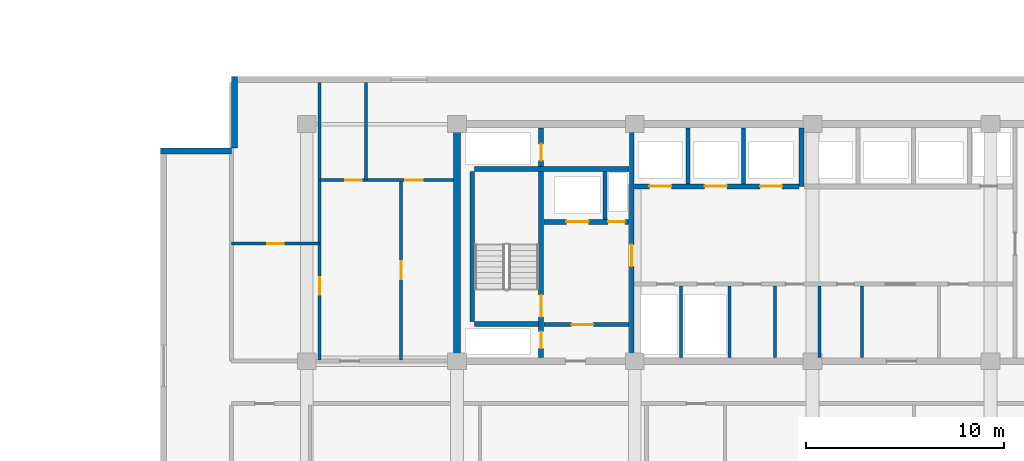
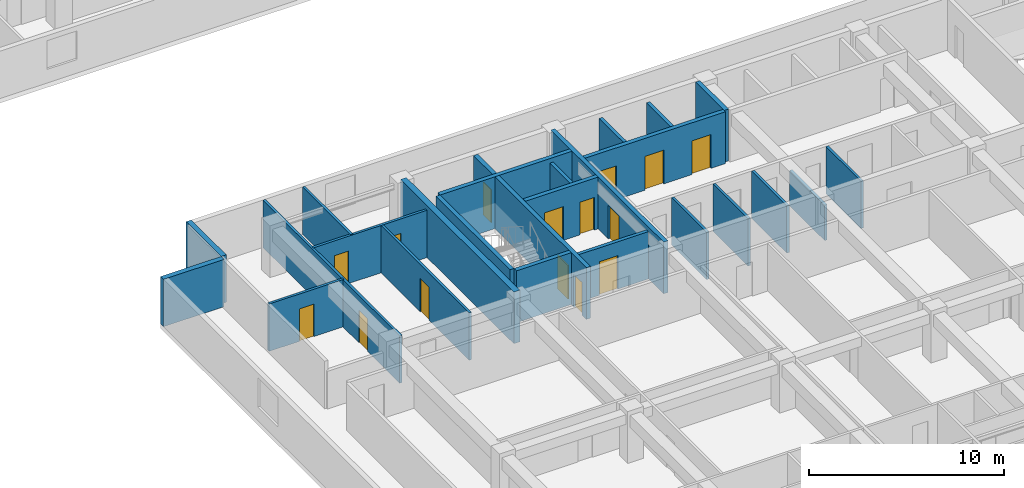
# One storey, part 6 of 23: 25 walls, 15 doors, 15 openings.
"""IFC4 building model written with IfcOpenShell, lengths in metres."""

from ifc_helpers import new_model, si_unit, direction, frame, frame_2d, origin, place, context, subcontext, project, spatial, rectangle, extrude, material, layer, layer_set, type_object, element, fill, save


model = new_model("IFC4")

# Units and contexts
model_context = context("Model", 3, precision=1e-05, world=origin(), true_north=direction((0.0, 1.0)))
body_context = subcontext(model_context, "Body", "Model", "MODEL_VIEW")
ifc_project = project(units=[si_unit("LENGTHUNIT", "METRE"), si_unit("AREAUNIT", "SQUARE_METRE"), si_unit("VOLUMEUNIT", "CUBIC_METRE"), si_unit("PLANEANGLEUNIT", "RADIAN"), si_unit("MASSUNIT", "GRAM", prefix="KILO")], contexts=[model_context])

# Site, building, storey
site_placement = place(None, origin())
site = spatial("IfcSite", under=ifc_project, at=site_placement, CompositionType="ELEMENT")
building_placement = place(site_placement, origin())
building = spatial("IfcBuilding", under=site, at=building_placement, Name="Korimba Cascade Residences", CompositionType="ELEMENT")
storey_placement = place(building_placement, frame((0.0, 0.0, 56.5)))
storey = spatial("IfcBuildingStorey", under=building, at=storey_placement, Name="L15", CompositionType="ELEMENT", Elevation=56.5)

# Walls
ifc_material_1 = material(Name="Precast concrete C40/50", Category="concrete")
ifc_layer_1 = layer(ifc_material_1, 0.300048828125)
ifc_layer_set_1 = layer_set([ifc_layer_1], Name="Precast concrete C40/50")
wall_type_1 = type_object("IfcWallType", Name="EW-STONE-300", PredefinedType="STANDARD", material=ifc_layer_set_1)
wall_1_placement = place(storey_placement, frame((70.85009765625, 32.800048828125, 0.0), z_axis=(0.0, 0.0, 1.0), x_axis=(0.0, -1.0, 0.0)))
element("IfcWall", 1, at=wall_1_placement, inside=storey, type_object=wall_type_1, Name="L15 T2 Perimeter Stone Wall E07", PredefinedType="STANDARD", context=body_context, shape_type="SweptSolid", body=[
    extrude(rectangle(XDim=3.60009765625, YDim=0.300048828125, at=frame_2d((1.800048828125, 0.0))), origin(), (0.0, 0.0, 1.0), 2.969970703125),
])
wall_2_placement = place(storey_placement, frame((70.699951171875, 29.050048828125, 0.0), z_axis=(0.0, 0.0, 1.0), x_axis=(-1.0, 0.0, 0.0)))
element("IfcWall", 2, at=wall_2_placement, inside=storey, type_object=wall_type_1, Name="L15 T2 Perimeter Stone Wall E08", PredefinedType="STANDARD", context=body_context, shape_type="SweptSolid", body=[
    extrude(rectangle(XDim=3.599853515625, YDim=0.300048828125, at=frame_2d((1.7998046875, 0.0))), origin(), (0.0, 0.0, 1.0), 2.969970703125),
])
ifc_material_2 = material(Name="Concrete C65/80", Category="concrete")
ifc_layer_2 = layer(ifc_material_2, 0.35009765625)
ifc_layer_set_2 = layer_set([ifc_layer_2], Name="Concrete C65/80")
wall_type_2 = type_object("IfcWallType", Name="WAL-CORE-350", PredefinedType="SHEAR", material=ifc_layer_set_2)
wall_3_placement = place(storey_placement, frame((82.10009765625, 18.574951171875, 0.0), z_axis=(0.0, 0.0, 1.0), x_axis=(0.0, 1.0, 0.0)))
element("IfcWall", 3, at=wall_3_placement, inside=storey, type_object=wall_type_2, Name="L15 Core Shear Wall CW-L15-T2-W", PredefinedType="SHEAR", context=body_context, shape_type="SweptSolid", body=[
    extrude(rectangle(XDim=11.650146484375, YDim=0.35009765625, at=frame_2d((5.8251953125, 0.0))), origin(), (0.0, 0.0, 1.0), 3.25),
])
ifc_material_3 = material(Name="Insulated Acoustic Stud Partition", Category="gypsum")
ifc_layer_3 = layer(ifc_material_3, 0.14990234375)
ifc_layer_set_3 = layer_set([ifc_layer_3], Name="Insulated Acoustic Stud Partition")
wall_type_3 = type_object("IfcWallType", Name="WAL-PART-150", PredefinedType="PARTITIONING", material=ifc_layer_set_3)
for number, where, z_axis, x_axis, name in (
    (4, (93.449951171875, 18.60009765625, 0.0), (0.0, 0.0, 1.0), (0.0, 1.0, 0.0), "L15 Partition Wall CW-L15-T2-ERDIV"),
    (5, (95.89990234375, 18.60009765625, 0.0), (0.0, 0.0, 1.0), (0.0, 1.0, 0.0), "L15 Partition Wall CW-L15-T2-PRDIV"),
    (6, (98.199951171875, 18.60009765625, 0.0), (0.0, 0.0, 1.0), (0.0, 1.0, 0.0), "L15 Partition Wall CW-L15-T2-CA1W1"),
):
    element("IfcWall", number, at=place(storey_placement, frame(where, z_axis=z_axis, x_axis=x_axis)), inside=storey, type_object=wall_type_3, Name=name, PredefinedType="PARTITIONING", context=body_context, shape_type="SweptSolid", body=[
        extrude(rectangle(XDim=3.599853515625, YDim=0.14990234375, at=frame_2d((1.7998046875, 0.0))), origin(), (0.0, 0.0, 1.0), 2.969970703125),
    ])
wall_4_placement = place(storey_placement, frame((100.449951171875, 18.60009765625, 0.0), z_axis=(0.0, 0.0, 1.0), x_axis=(0.0, 1.0, 0.0)))
element("IfcWall", 7, at=wall_4_placement, inside=storey, type_object=wall_type_3, Name="L15 Partition Wall CW-L15-T2-CA1W2", PredefinedType="PARTITIONING", context=body_context, shape_type="SweptSolid", body=[
    extrude(rectangle(XDim=3.599853515625, YDim=0.14990234375, at=frame_2d((1.7998046875, 0.0))), origin(), (0.0, 0.0, 1.0), 2.219970703125),
])
wall_5_placement = place(storey_placement, frame((102.60009765625, 18.60009765625, 0.0), z_axis=(0.0, 0.0, 1.0), x_axis=(0.0, 1.0, 0.0)))
element("IfcWall", 8, at=wall_5_placement, inside=storey, type_object=wall_type_3, Name="L15 Partition Wall CW-L15-T2-THW", PredefinedType="PARTITIONING", context=body_context, shape_type="SweptSolid", body=[
    extrude(rectangle(XDim=3.599853515625, YDim=0.14990234375, at=frame_2d((1.7998046875, 0.0))), origin(), (0.0, 0.0, 1.0), 2.969970703125),
])

# Wall, opening, door
wall_6_placement = place(storey_placement, frame((70.699951171875, 24.35009765625, 0.0), z_axis=(0.0, 0.0, 1.0), x_axis=(1.0, 0.0, 0.0)))
wall_6 = element("IfcWall", 9, at=wall_6_placement, inside=storey, type_object=wall_type_3, Name="L15 Partition Wall WAL-L15-T2-FW-STH", PredefinedType="PARTITIONING", context=body_context, shape_type="SweptSolid", body=[
    extrude(rectangle(XDim=4.449951171875, YDim=0.14990234375, at=frame_2d((2.22509765625, 0.0))), origin(), (0.0, 0.0, 1.0), 2.969970703125),
])
opening_1_placement = place(wall_6_placement, frame((1.804931640625, 0.0, 0.0)))
opening_1 = element("IfcOpeningElement", 10, at=opening_1_placement, cuts=wall_6, Name="Opening D-BT1", PredefinedType="OPENING", context=body_context, shape_type="SweptSolid", body=[
    extrude(rectangle(XDim=0.840087890625, YDim=2.0400390625, at=frame_2d((0.419921875, 1.02001953125))), frame((0.0, 0.0849609375, 0.0), z_axis=(0.0, -1.0, 0.0), x_axis=(1.0, 0.0, 0.0)), (0.0, 0.0, 1.0), 0.169921875),
])
ifc_material_4 = material(Name="Moisture-Resistant Bathroom Timber Door", Category="wood")
door_type_1 = type_object("IfcDoorType", Name="DR-INT-850", OperationType="NOTDEFINED", PredefinedType="DOOR", material=ifc_material_4)
door_1_placement = place(opening_1_placement, origin())
door_1 = element("IfcDoor", 11, at=door_1_placement, inside=storey, type_object=door_type_1, Name="L15-T2-FW Dressing Store Door", OperationType="SINGLE_SWING_RIGHT", OverallHeight=2.0400390625, OverallWidth=0.840087890625, PredefinedType="DOOR", context=body_context, shape_type="SweptSolid", body=[
    extrude(rectangle(XDim=0.840087890625, YDim=2.0400390625, at=frame_2d((0.419921875, 1.02001953125))), frame((0.0, 0.02490234375, 0.0), z_axis=(0.0, -1.0, 0.0), x_axis=(1.0, 0.0, 0.0)), (0.0, 0.0, 1.0), 0.050048828125),
])
fill(opening_1, door_1)

wall_7_placement = place(storey_placement, frame((75.14990234375, 18.449951171875, 0.0), z_axis=(0.0, 0.0, 1.0), x_axis=(0.0, 1.0, 0.0)))
wall_7 = element("IfcWall", 12, at=wall_7_placement, inside=storey, type_object=wall_type_3, Name="L15 Partition Wall WAL-L15-T2-FW-STV", PredefinedType="PARTITIONING", context=body_context, shape_type="SweptSolid", body=[
    extrude(rectangle(XDim=14.050048828125, YDim=0.14990234375, at=frame_2d((7.02490234375, 0.0))), origin(), (0.0, 0.0, 1.0), 2.969970703125),
])
opening_2_placement = place(wall_7_placement, frame((3.320068359375, 0.0, 0.0)))
opening_2 = element("IfcOpeningElement", 13, at=opening_2_placement, cuts=wall_7, Name="Opening D-IN2", PredefinedType="OPENING", context=body_context, shape_type="SweptSolid", body=[
    extrude(rectangle(XDim=0.8798828125, YDim=2.06005859375, at=frame_2d((0.43994140625, 1.030029296875))), frame((0.0, 0.0849609375, 0.0), z_axis=(0.0, -1.0, 0.0), x_axis=(1.0, 0.0, 0.0)), (0.0, 0.0, 1.0), 0.169921875),
])
ifc_material_5 = material(Name="Acoustic Timber Bedroom Door", Category="wood")
door_type_2 = type_object("IfcDoorType", Name="DR-INT-880", OperationType="NOTDEFINED", PredefinedType="DOOR", material=ifc_material_5)
door_2_placement = place(opening_2_placement, origin())
door_2 = element("IfcDoor", 14, at=door_2_placement, inside=storey, type_object=door_type_2, Name="L15-T2-FW Study Door", OperationType="SINGLE_SWING_LEFT", OverallHeight=2.06005859375, OverallWidth=0.8798828125, PredefinedType="DOOR", context=body_context, shape_type="SweptSolid", body=[
    extrude(rectangle(XDim=0.8798828125, YDim=2.06005859375, at=frame_2d((0.43994140625, 1.030029296875))), frame((0.0, 0.02490234375, 0.0), z_axis=(0.0, -1.0, 0.0), x_axis=(1.0, 0.0, 0.0)), (0.0, 0.0, 1.0), 0.050048828125),
])
fill(opening_2, door_2)

wall_8_placement = place(storey_placement, frame((79.27001953125, 18.449951171875, 0.0), z_axis=(0.0, 0.0, 1.0), x_axis=(0.0, 1.0, 0.0)))
wall_8 = element("IfcWall", 15, at=wall_8_placement, inside=storey, type_object=wall_type_3, Name="L15 Partition Wall WAL-L15-T2-FW-VS", PredefinedType="PARTITIONING", context=body_context, shape_type="SweptSolid", body=[
    extrude(rectangle(XDim=9.1201171875, YDim=0.14990234375, at=frame_2d((4.56005859375, 0.0))), origin(), (0.0, 0.0, 1.0), 2.969970703125),
])
opening_3_placement = place(wall_8_placement, frame((4.10009765625, 0.0, 0.0)))
opening_3 = element("IfcOpeningElement", 16, at=opening_3_placement, cuts=wall_8, Name="Opening D-IN1", PredefinedType="OPENING", context=body_context, shape_type="SweptSolid", body=[
    extrude(rectangle(XDim=0.919921875, YDim=2.080078125, at=frame_2d((0.4599609375, 1.0400390625))), frame((0.0, 0.0849609375, 0.0), z_axis=(0.0, -1.0, 0.0), x_axis=(1.0, 0.0, 0.0)), (0.0, 0.0, 1.0), 0.169921875),
])
ifc_material_6 = material(Name="Acoustic Timber Living Door", Category="wood")
door_type_3 = type_object("IfcDoorType", Name="DR-INT-920", OperationType="NOTDEFINED", PredefinedType="DOOR", material=ifc_material_6)
door_3_placement = place(opening_3_placement, origin())
door_3 = element("IfcDoor", 17, at=door_3_placement, inside=storey, type_object=door_type_3, Name="L15-T2-FW Living Door", OperationType="SINGLE_SWING_RIGHT", OverallHeight=2.080078125, OverallWidth=0.919921875, PredefinedType="DOOR", context=body_context, shape_type="SweptSolid", body=[
    extrude(rectangle(XDim=0.919921875, YDim=2.080078125, at=frame_2d((0.4599609375, 1.0400390625))), frame((0.0, 0.02490234375, 0.0), z_axis=(0.0, -1.0, 0.0), x_axis=(1.0, 0.0, 0.0)), (0.0, 0.0, 1.0), 0.050048828125),
])
fill(opening_3, door_3)

# Wall
wall_9_placement = place(storey_placement, frame((77.5, 27.570068359375, 0.0), z_axis=(0.0, 0.0, 1.0), x_axis=(0.0, 1.0, 0.0)))
element("IfcWall", 18, at=wall_9_placement, inside=storey, type_object=wall_type_3, Name="L15 Partition Wall WAL-L15-T2-FW-VN", PredefinedType="PARTITIONING", context=body_context, shape_type="SweptSolid", body=[
    extrude(rectangle(XDim=4.929931640625, YDim=0.14990234375, at=frame_2d((2.46484375, 0.0))), origin(), (0.0, 0.0, 1.0), 2.969970703125),
])

# Wall, openings, doors
wall_10_placement = place(storey_placement, frame((75.169921875, 27.570068359375, 0.0), z_axis=(0.0, 0.0, 1.0), x_axis=(1.0, 0.0, 0.0)))
wall_10 = element("IfcWall", 19, at=wall_10_placement, inside=storey, type_object=wall_type_3, Name="L15 Partition Wall WAL-L15-T2-FW-H", PredefinedType="PARTITIONING", context=body_context, shape_type="SweptSolid", body=[
    extrude(rectangle(XDim=6.760009765625, YDim=0.14990234375, at=frame_2d((3.3798828125, 0.0))), origin(), (0.0, 0.0, 1.0), 2.969970703125),
])
opening_4_placement = place(wall_10_placement, frame((1.266357421875, 0.0, 0.0)))
opening_4 = element("IfcOpeningElement", 20, at=opening_4_placement, cuts=wall_10, Name="Opening D-BT1", PredefinedType="OPENING", context=body_context, shape_type="SweptSolid", body=[
    extrude(rectangle(XDim=0.840087890625, YDim=2.0400390625, at=frame_2d((0.419921875, 1.02001953125))), frame((0.0, 0.0849609375, 0.0), z_axis=(0.0, -1.0, 0.0), x_axis=(1.0, 0.0, 0.0)), (0.0, 0.0, 1.0), 0.169921875),
])
opening_5_placement = place(wall_10_placement, frame((4.320068359375, 0.0, 0.0)))
opening_5 = element("IfcOpeningElement", 21, at=opening_5_placement, cuts=wall_10, Name="Opening D-IN2", PredefinedType="OPENING", context=body_context, shape_type="SweptSolid", body=[
    extrude(rectangle(XDim=0.8798828125, YDim=2.06005859375, at=frame_2d((0.43994140625, 1.030029296875))), frame((0.0, 0.0849609375, 0.0), z_axis=(0.0, -1.0, 0.0), x_axis=(1.0, 0.0, 0.0)), (0.0, 0.0, 1.0), 0.169921875),
])
door_4_placement = place(opening_4_placement, origin())
door_4 = element("IfcDoor", 22, at=door_4_placement, inside=storey, type_object=door_type_1, Name="L15-T2-FW Bathroom Door", OperationType="SINGLE_SWING_LEFT", OverallHeight=2.0400390625, OverallWidth=0.840087890625, PredefinedType="DOOR", context=body_context, shape_type="SweptSolid", body=[
    extrude(rectangle(XDim=0.840087890625, YDim=2.0400390625, at=frame_2d((0.419921875, 1.02001953125))), frame((0.0, 0.02490234375, 0.0), z_axis=(0.0, -1.0, 0.0), x_axis=(1.0, 0.0, 0.0)), (0.0, 0.0, 1.0), 0.050048828125),
])
fill(opening_4, door_4)
door_5_placement = place(opening_5_placement, origin())
door_5 = element("IfcDoor", 23, at=door_5_placement, inside=storey, type_object=door_type_2, Name="L15-T2-FW Bedroom Door", OperationType="SINGLE_SWING_RIGHT", OverallHeight=2.06005859375, OverallWidth=0.8798828125, PredefinedType="DOOR", context=body_context, shape_type="SweptSolid", body=[
    extrude(rectangle(XDim=0.8798828125, YDim=2.06005859375, at=frame_2d((0.43994140625, 1.030029296875))), frame((0.0, 0.02490234375, 0.0), z_axis=(0.0, -1.0, 0.0), x_axis=(1.0, 0.0, 0.0)), (0.0, 0.0, 1.0), 0.050048828125),
])
fill(opening_5, door_5)

# Wall
ifc_material_7 = material(Name="Concrete C40/50", Category="concrete")
ifc_layer_4 = layer(ifc_material_7, 0.199951171875)
ifc_layer_set_4 = layer_set([ifc_layer_4], Name="Concrete C40/50")
wall_type_4 = type_object("IfcWallType", Name="WAL-PART-200", PredefinedType="PARTITIONING", material=ifc_layer_set_4)
wall_11_placement = place(storey_placement, frame((89.60009765625, 25.580078125, 0.0), z_axis=(0.0, 0.0, 1.0), x_axis=(0.0, 1.0, 0.0)))
element("IfcWall", 24, at=wall_11_placement, inside=storey, type_object=wall_type_4, Name="L15 Partition Wall CW-L15-T2-FFLDIV", PredefinedType="PARTITIONING", context=body_context, shape_type="SweptSolid", body=[
    extrude(rectangle(XDim=2.419921875, YDim=0.199951171875, at=frame_2d((1.2099609375, 0.0))), origin(), (0.0, 0.0, 1.0), 2.969970703125),
])

# Wall, opening, door
wall_12_placement = place(storey_placement, frame((86.5, 20.25, 0.0), z_axis=(0.0, 0.0, 1.0), x_axis=(1.0, 0.0, 0.0)))
wall_12 = element("IfcWall", 25, at=wall_12_placement, inside=storey, type_object=wall_type_4, Name="L15 Partition Wall CW-L15-T2-FFLS", PredefinedType="PARTITIONING", context=body_context, shape_type="SweptSolid", body=[
    extrude(rectangle(XDim=4.320068359375, YDim=0.199951171875, at=frame_2d((2.16015625, 0.0))), origin(), (0.0, 0.0, 1.0), 2.969970703125),
])
opening_6_placement = place(wall_12_placement, frame((1.39990234375, 0.0, 0.0)))
opening_6 = element("IfcOpeningElement", 26, at=opening_6_placement, cuts=wall_12, Name="Opening D-FD1", PredefinedType="OPENING", context=body_context, shape_type="SweptSolid", body=[
    extrude(rectangle(XDim=1.10009765625, YDim=2.10009765625, at=frame_2d((0.550048828125, 1.050048828125))), frame((0.0, 0.10986328125, 0.0), z_axis=(0.0, -1.0, 0.0), x_axis=(1.0, 0.0, 0.0)), (0.0, 0.0, 1.0), 0.219970703125),
])
ifc_material_8 = material(Name="Fire-Rated Steel Core Door", Category="steel")
door_type_4 = type_object("IfcDoorType", Name="DR-FD120-1100", OperationType="NOTDEFINED", PredefinedType="DOOR", material=ifc_material_8)
door_6_placement = place(opening_6_placement, origin())
door_6 = element("IfcDoor", 27, at=door_6_placement, inside=storey, type_object=door_type_4, Name="L15 T2 Firefighting Lobby Door", OperationType="SINGLE_SWING_LEFT", OverallHeight=2.10009765625, OverallWidth=1.10009765625, PredefinedType="DOOR", context=body_context, shape_type="SweptSolid", body=[
    extrude(rectangle(XDim=1.10009765625, YDim=2.10009765625, at=frame_2d((0.550048828125, 1.050048828125))), frame((0.0, 0.02490234375, 0.0), z_axis=(0.0, -1.0, 0.0), x_axis=(1.0, 0.0, 0.0)), (0.0, 0.0, 1.0), 0.050048828125),
])
fill(opening_6, door_6)

# Walls
for number, where, z_axis, x_axis, name in (
    (28, (93.800048828125, 27.3798828125, 0.0), (0.0, 0.0, 1.0), (0.0, 1.0, 0.0), "L15 Partition Wall CW-L15-T2-B1D1"),
    (29, (96.60009765625, 27.3798828125, 0.0), (0.0, 0.0, 1.0), (0.0, 1.0, 0.0), "L15 Partition Wall CW-L15-T2-B1D2"),
):
    element("IfcWall", number, at=place(storey_placement, frame(where, z_axis=z_axis, x_axis=x_axis)), inside=storey, type_object=wall_type_4, Name=name, PredefinedType="PARTITIONING", context=body_context, shape_type="SweptSolid", body=[
        extrude(rectangle(XDim=2.820068359375, YDim=0.199951171875, at=frame_2d((1.41015625, 0.0))), origin(), (0.0, 0.0, 1.0), 2.969970703125),
    ])
ifc_material_9 = material(Name="Concrete C50/60", Category="concrete")
ifc_layer_5 = layer(ifc_material_9, 0.25)
ifc_layer_set_5 = layer_set([ifc_layer_5], Name="Concrete C50/60")
wall_type_5 = type_object("IfcWallType", Name="WAL-SHAFT-250", PredefinedType="SHEAR", material=ifc_layer_set_5)
wall_13_placement = place(storey_placement, frame((82.875, 20.39990234375, 0.0), z_axis=(0.0, 0.0, 1.0), x_axis=(0.0, 1.0, 0.0)))
element("IfcWall", 30, at=wall_13_placement, inside=storey, type_object=wall_type_5, Name="L15 Core Shear Wall CW-L15-T2-STE1W", PredefinedType="SHEAR", context=body_context, shape_type="SweptSolid", body=[
    extrude(rectangle(XDim=7.60009765625, YDim=0.25, at=frame_2d((3.800048828125, 0.0))), origin(), (0.0, 0.0, 1.0), 3.25),
])

# Wall, openings, doors
wall_14_placement = place(storey_placement, frame((86.364990234375, 18.60009765625, 0.0), z_axis=(0.0, 0.0, 1.0), x_axis=(0.0, 1.0, 0.0)))
wall_14 = element("IfcWall", 31, at=wall_14_placement, inside=storey, type_object=wall_type_5, Name="L15 Core Shear Wall CW-L15-T2-STE1E", PredefinedType="SHEAR", context=body_context, shape_type="SweptSolid", body=[
    extrude(rectangle(XDim=11.599853515625, YDim=0.25, at=frame_2d((5.7998046875, 0.0))), origin(), (0.0, 0.0, 1.0), 3.25),
])
opening_7_placement = place(wall_14_placement, frame((0.449951171875, 0.0, 0.0)))
opening_7 = element("IfcOpeningElement", 32, at=opening_7_placement, cuts=wall_14, Name="Opening D-RS1", PredefinedType="OPENING", context=body_context, shape_type="SweptSolid", body=[
    extrude(rectangle(XDim=0.85009765625, YDim=2.050048828125, at=frame_2d((0.425048828125, 1.02490234375))), frame((0.0, 0.135009765625, 0.0), z_axis=(0.0, -1.0, 0.0), x_axis=(1.0, 0.0, 0.0)), (0.0, 0.0, 1.0), 0.27001953125),
])
opening_8_placement = place(wall_14_placement, frame((2.050048828125, 0.0, 0.0)))
opening_8 = element("IfcOpeningElement", 33, at=opening_8_placement, cuts=wall_14, Name="Opening D-FD1", PredefinedType="OPENING", context=body_context, shape_type="SweptSolid", body=[
    extrude(rectangle(XDim=1.10009765625, YDim=2.10009765625, at=frame_2d((0.550048828125, 1.050048828125))), frame((0.0, 0.135009765625, 0.0), z_axis=(0.0, -1.0, 0.0), x_axis=(1.0, 0.0, 0.0)), (0.0, 0.0, 1.0), 0.27001953125),
])
opening_9_placement = place(wall_14_placement, frame((9.949951171875, 0.0, 0.0)))
opening_9 = element("IfcOpeningElement", 34, at=opening_9_placement, cuts=wall_14, Name="Opening D-RS1", PredefinedType="OPENING", context=body_context, shape_type="SweptSolid", body=[
    extrude(rectangle(XDim=0.85009765625, YDim=2.050048828125, at=frame_2d((0.425048828125, 1.02490234375))), frame((0.0, 0.135009765625, 0.0), z_axis=(0.0, -1.0, 0.0), x_axis=(1.0, 0.0, 0.0)), (0.0, 0.0, 1.0), 0.27001953125),
])
door_7_placement = place(opening_8_placement, origin())
door_7 = element("IfcDoor", 35, at=door_7_placement, inside=storey, type_object=door_type_4, Name="L15 Fire Stair ST-E1 Door", OperationType="SINGLE_SWING_RIGHT", OverallHeight=2.10009765625, OverallWidth=1.10009765625, PredefinedType="DOOR", context=body_context, shape_type="SweptSolid", body=[
    extrude(rectangle(XDim=1.10009765625, YDim=2.10009765625, at=frame_2d((0.550048828125, 1.050048828125))), frame((0.0, 0.02490234375, 0.0), z_axis=(0.0, -1.0, 0.0), x_axis=(1.0, 0.0, 0.0)), (0.0, 0.0, 1.0), 0.050048828125),
])
fill(opening_8, door_7)
ifc_material_10 = material(Name="Fire-Rated Steel Riser Access Door", Category="steel")
door_type_5 = type_object("IfcDoorType", Name="DR-FD60-850", OperationType="NOTDEFINED", PredefinedType="DOOR", material=ifc_material_10)
door_8_placement = place(opening_7_placement, origin())
door_8 = element("IfcDoor", 36, at=door_8_placement, inside=storey, type_object=door_type_5, Name="L15 T2 Hydrant Riser Door", OperationType="SINGLE_SWING_LEFT", OverallHeight=2.050048828125, OverallWidth=0.85009765625, PredefinedType="DOOR", context=body_context, shape_type="SweptSolid", body=[
    extrude(rectangle(XDim=0.85009765625, YDim=2.050048828125, at=frame_2d((0.425048828125, 1.02490234375))), frame((0.0, 0.02490234375, 0.0), z_axis=(0.0, -1.0, 0.0), x_axis=(1.0, 0.0, 0.0)), (0.0, 0.0, 1.0), 0.050048828125),
])
fill(opening_7, door_8)
door_9_placement = place(opening_9_placement, origin())
door_9 = element("IfcDoor", 37, at=door_9_placement, inside=storey, type_object=door_type_5, Name="L15 T2 Smoke Shaft Door", OperationType="SINGLE_SWING_LEFT", OverallHeight=2.050048828125, OverallWidth=0.85009765625, PredefinedType="DOOR", context=body_context, shape_type="SweptSolid", body=[
    extrude(rectangle(XDim=0.85009765625, YDim=2.050048828125, at=frame_2d((0.425048828125, 1.02490234375))), frame((0.0, 0.02490234375, 0.0), z_axis=(0.0, -1.0, 0.0), x_axis=(1.0, 0.0, 0.0)), (0.0, 0.0, 1.0), 0.050048828125),
])
fill(opening_9, door_9)

# Walls
wall_15_placement = place(storey_placement, frame((83.0, 20.27490234375, 0.0), z_axis=(0.0, 0.0, 1.0), x_axis=(1.0, 0.0, 0.0)))
element("IfcWall", 38, at=wall_15_placement, inside=storey, type_object=wall_type_5, Name="L15 Core Shear Wall CW-L15-T2-STE1S", PredefinedType="SHEAR", context=body_context, shape_type="SweptSolid", body=[
    extrude(rectangle(XDim=3.239990234375, YDim=0.25, at=frame_2d((1.6201171875, 0.0))), origin(), (0.0, 0.0, 1.0), 3.25),
])
wall_16_placement = place(storey_placement, frame((83.0, 28.125, 0.0), z_axis=(0.0, 0.0, 1.0), x_axis=(1.0, 0.0, 0.0)))
element("IfcWall", 39, at=wall_16_placement, inside=storey, type_object=wall_type_5, Name="L15 Core Shear Wall CW-L15-T2-STE1N", PredefinedType="SHEAR", context=body_context, shape_type="SweptSolid", body=[
    extrude(rectangle(XDim=7.820068359375, YDim=0.25, at=frame_2d((3.91015625, 0.0))), origin(), (0.0, 0.0, 1.0), 3.25),
])

# Wall, openings, doors
wall_17_placement = place(storey_placement, frame((86.5, 25.449951171875, 0.0), z_axis=(0.0, 0.0, 1.0), x_axis=(1.0, 0.0, 0.0)))
wall_17 = element("IfcWall", 40, at=wall_17_placement, inside=storey, type_object=wall_type_5, Name="L15 Core Shear Wall CW-L15-T2-FFLN", PredefinedType="SHEAR", context=body_context, shape_type="SweptSolid", body=[
    extrude(rectangle(XDim=4.320068359375, YDim=0.25, at=frame_2d((2.16015625, 0.0))), origin(), (0.0, 0.0, 1.0), 3.25),
])
opening_10_placement = place(wall_17_placement, frame((1.139892578125, 0.0, 0.0)))
opening_10 = element("IfcOpeningElement", 41, at=opening_10_placement, cuts=wall_17, Name="Opening LD-01", PredefinedType="OPENING", context=body_context, shape_type="SweptSolid", body=[
    extrude(rectangle(XDim=1.1201171875, YDim=2.1201171875, at=frame_2d((0.56005859375, 1.06005859375))), frame((0.0, 0.135009765625, 0.0), z_axis=(0.0, -1.0, 0.0), x_axis=(1.0, 0.0, 0.0)), (0.0, 0.0, 1.0), 0.27001953125),
])
opening_11_placement = place(wall_17_placement, frame((3.25, 0.0, 0.0)))
opening_11 = element("IfcOpeningElement", 42, at=opening_11_placement, cuts=wall_17, Name="Opening D-RS1", PredefinedType="OPENING", context=body_context, shape_type="SweptSolid", body=[
    extrude(rectangle(XDim=0.85009765625, YDim=2.050048828125, at=frame_2d((0.425048828125, 1.02490234375))), frame((0.0, 0.135009765625, 0.0), z_axis=(0.0, -1.0, 0.0), x_axis=(1.0, 0.0, 0.0)), (0.0, 0.0, 1.0), 0.27001953125),
])
door_10_placement = place(opening_11_placement, origin())
door_10 = element("IfcDoor", 43, at=door_10_placement, inside=storey, type_object=door_type_5, Name="L15 T2 Pressurisation Riser Door", OperationType="SINGLE_SWING_RIGHT", OverallHeight=2.050048828125, OverallWidth=0.85009765625, PredefinedType="DOOR", context=body_context, shape_type="SweptSolid", body=[
    extrude(rectangle(XDim=0.85009765625, YDim=2.050048828125, at=frame_2d((0.425048828125, 1.02490234375))), frame((0.0, 0.02490234375, 0.0), z_axis=(0.0, -1.0, 0.0), x_axis=(1.0, 0.0, 0.0)), (0.0, 0.0, 1.0), 0.050048828125),
])
fill(opening_11, door_10)
ifc_material_11 = material(Name="Stainless Steel Lift Landing Sliding Door", Category="steel")
door_type_6 = type_object("IfcDoorType", Name="DR-LIFT-1100", OperationType="NOTDEFINED", PredefinedType="DOOR", material=ifc_material_11)
door_11_placement = place(opening_10_placement, origin())
door_11 = element("IfcDoor", 44, at=door_11_placement, inside=storey, type_object=door_type_6, Name="L15 Firefighting Lift Landing Door FFL-E1", OperationType="SLIDING_TO_RIGHT", OverallHeight=2.1201171875, OverallWidth=1.1201171875, PredefinedType="DOOR", context=body_context, shape_type="SweptSolid", body=[
    extrude(rectangle(XDim=1.1201171875, YDim=2.1201171875, at=frame_2d((0.56005859375, 1.06005859375))), frame((0.0, 0.02490234375, 0.0), z_axis=(0.0, -1.0, 0.0), x_axis=(1.0, 0.0, 0.0)), (0.0, 0.0, 1.0), 0.050048828125),
])
fill(opening_10, door_11)

# Wall, opening, door
wall_18_placement = place(storey_placement, frame((90.949951171875, 18.60009765625, 0.0), z_axis=(0.0, 0.0, 1.0), x_axis=(0.0, 1.0, 0.0)))
wall_18 = element("IfcWall", 45, at=wall_18_placement, inside=storey, type_object=wall_type_5, Name="L15 Core Shear Wall CW-L15-T2-FFLE", PredefinedType="SHEAR", context=body_context, shape_type="SweptSolid", body=[
    extrude(rectangle(XDim=11.599853515625, YDim=0.25, at=frame_2d((5.7998046875, 0.0))), origin(), (0.0, 0.0, 1.0), 3.25),
])
opening_12_placement = place(wall_18_placement, frame((4.60009765625, 0.0, 0.0)))
opening_12 = element("IfcOpeningElement", 46, at=opening_12_placement, cuts=wall_18, Name="Opening D-FD1", PredefinedType="OPENING", context=body_context, shape_type="SweptSolid", body=[
    extrude(rectangle(XDim=1.10009765625, YDim=2.10009765625, at=frame_2d((0.550048828125, 1.050048828125))), frame((0.0, 0.135009765625, 0.0), z_axis=(0.0, -1.0, 0.0), x_axis=(1.0, 0.0, 0.0)), (0.0, 0.0, 1.0), 0.27001953125),
])
door_12_placement = place(opening_12_placement, origin())
door_12 = element("IfcDoor", 47, at=door_12_placement, inside=storey, type_object=door_type_4, Name="L15 T2 Firefighting Lobby to Lift Lobby Door", OperationType="SINGLE_SWING_RIGHT", OverallHeight=2.10009765625, OverallWidth=1.10009765625, PredefinedType="DOOR", context=body_context, shape_type="SweptSolid", body=[
    extrude(rectangle(XDim=1.10009765625, YDim=2.10009765625, at=frame_2d((0.550048828125, 1.050048828125))), frame((0.0, 0.02490234375, 0.0), z_axis=(0.0, -1.0, 0.0), x_axis=(1.0, 0.0, 0.0)), (0.0, 0.0, 1.0), 0.050048828125),
])
fill(opening_12, door_12)

# Wall, openings, doors
wall_19_placement = place(storey_placement, frame((91.080078125, 27.25, 0.0), z_axis=(0.0, 0.0, 1.0), x_axis=(1.0, 0.0, 0.0)))
wall_19 = element("IfcWall", 48, at=wall_19_placement, inside=storey, type_object=wall_type_5, Name="L15 Core Shear Wall CW-L15-T2-B1S", PredefinedType="SHEAR", context=body_context, shape_type="SweptSolid", body=[
    extrude(rectangle(XDim=8.33984375, YDim=0.25, at=frame_2d((4.169921875, 0.0))), origin(), (0.0, 0.0, 1.0), 3.25),
])
opening_13_placement = place(wall_19_placement, frame((0.760009765625, 0.0, 0.0)))
opening_13 = element("IfcOpeningElement", 49, at=opening_13_placement, cuts=wall_19, Name="Opening LD-01", PredefinedType="OPENING", context=body_context, shape_type="SweptSolid", body=[
    extrude(rectangle(XDim=1.1201171875, YDim=2.1201171875, at=frame_2d((0.56005859375, 1.06005859375))), frame((0.0, 0.135009765625, 0.0), z_axis=(0.0, -1.0, 0.0), x_axis=(1.0, 0.0, 0.0)), (0.0, 0.0, 1.0), 0.27001953125),
])
opening_14_placement = place(wall_19_placement, frame((3.56005859375, 0.0, 0.0)))
opening_14 = element("IfcOpeningElement", 50, at=opening_14_placement, cuts=wall_19, Name="Opening LD-01", PredefinedType="OPENING", context=body_context, shape_type="SweptSolid", body=[
    extrude(rectangle(XDim=1.1201171875, YDim=2.1201171875, at=frame_2d((0.56005859375, 1.06005859375))), frame((0.0, 0.135009765625, 0.0), z_axis=(0.0, -1.0, 0.0), x_axis=(1.0, 0.0, 0.0)), (0.0, 0.0, 1.0), 0.27001953125),
])
opening_15_placement = place(wall_19_placement, frame((6.360107421875, 0.0, 0.0)))
opening_15 = element("IfcOpeningElement", 51, at=opening_15_placement, cuts=wall_19, Name="Opening LD-01", PredefinedType="OPENING", context=body_context, shape_type="SweptSolid", body=[
    extrude(rectangle(XDim=1.1201171875, YDim=2.1201171875, at=frame_2d((0.56005859375, 1.06005859375))), frame((0.0, 0.135009765625, 0.0), z_axis=(0.0, -1.0, 0.0), x_axis=(1.0, 0.0, 0.0)), (0.0, 0.0, 1.0), 0.27001953125),
])
door_13_placement = place(opening_13_placement, origin())
door_13 = element("IfcDoor", 52, at=door_13_placement, inside=storey, type_object=door_type_6, Name="L15 Lift Landing Door PL-E1", OperationType="SLIDING_TO_LEFT", OverallHeight=2.1201171875, OverallWidth=1.1201171875, PredefinedType="DOOR", context=body_context, shape_type="SweptSolid", body=[
    extrude(rectangle(XDim=1.1201171875, YDim=2.1201171875, at=frame_2d((0.56005859375, 1.06005859375))), frame((0.0, 0.02490234375, 0.0), z_axis=(0.0, -1.0, 0.0), x_axis=(1.0, 0.0, 0.0)), (0.0, 0.0, 1.0), 0.050048828125),
])
fill(opening_13, door_13)
door_14_placement = place(opening_14_placement, origin())
door_14 = element("IfcDoor", 53, at=door_14_placement, inside=storey, type_object=door_type_6, Name="L15 Lift Landing Door PL-E2", OperationType="SLIDING_TO_LEFT", OverallHeight=2.1201171875, OverallWidth=1.1201171875, PredefinedType="DOOR", context=body_context, shape_type="SweptSolid", body=[
    extrude(rectangle(XDim=1.1201171875, YDim=2.1201171875, at=frame_2d((0.56005859375, 1.06005859375))), frame((0.0, 0.02490234375, 0.0), z_axis=(0.0, -1.0, 0.0), x_axis=(1.0, 0.0, 0.0)), (0.0, 0.0, 1.0), 0.050048828125),
])
fill(opening_14, door_14)
door_15_placement = place(opening_15_placement, origin())
door_15 = element("IfcDoor", 54, at=door_15_placement, inside=storey, type_object=door_type_6, Name="L15 Lift Landing Door PL-E3", OperationType="SLIDING_TO_LEFT", OverallHeight=2.1201171875, OverallWidth=1.1201171875, PredefinedType="DOOR", context=body_context, shape_type="SweptSolid", body=[
    extrude(rectangle(XDim=1.1201171875, YDim=2.1201171875, at=frame_2d((0.56005859375, 1.06005859375))), frame((0.0, 0.02490234375, 0.0), z_axis=(0.0, -1.0, 0.0), x_axis=(1.0, 0.0, 0.0)), (0.0, 0.0, 1.0), 0.050048828125),
])
fill(opening_15, door_15)

# Wall
wall_20_placement = place(storey_placement, frame((99.550048828125, 27.25, 0.0), z_axis=(0.0, 0.0, 1.0), x_axis=(0.0, 1.0, 0.0)))
element("IfcWall", 55, at=wall_20_placement, inside=storey, type_object=wall_type_5, Name="L15 Core Shear Wall CW-L15-T2-B12DIV", PredefinedType="SHEAR", context=body_context, shape_type="SweptSolid", body=[
    extrude(rectangle(XDim=2.949951171875, YDim=0.25, at=frame_2d((1.47509765625, 0.0))), origin(), (0.0, 0.0, 1.0), 3.25),
])

save(model, "model.ifc")
